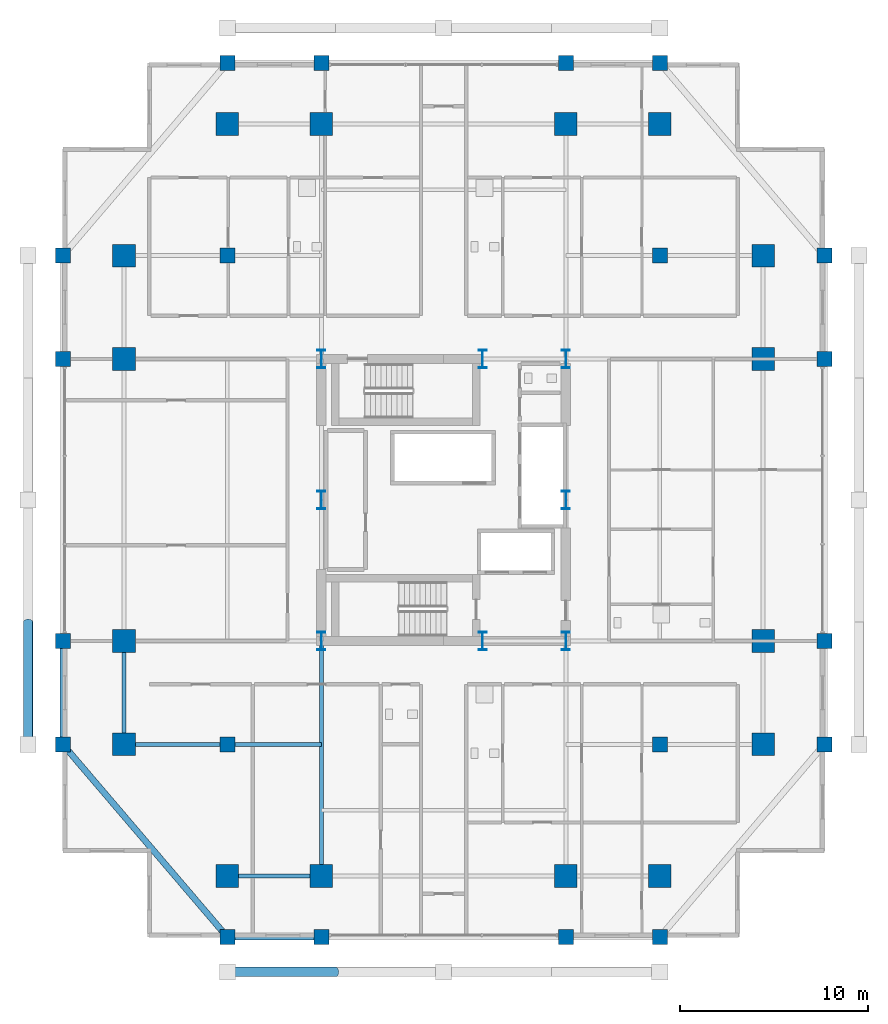
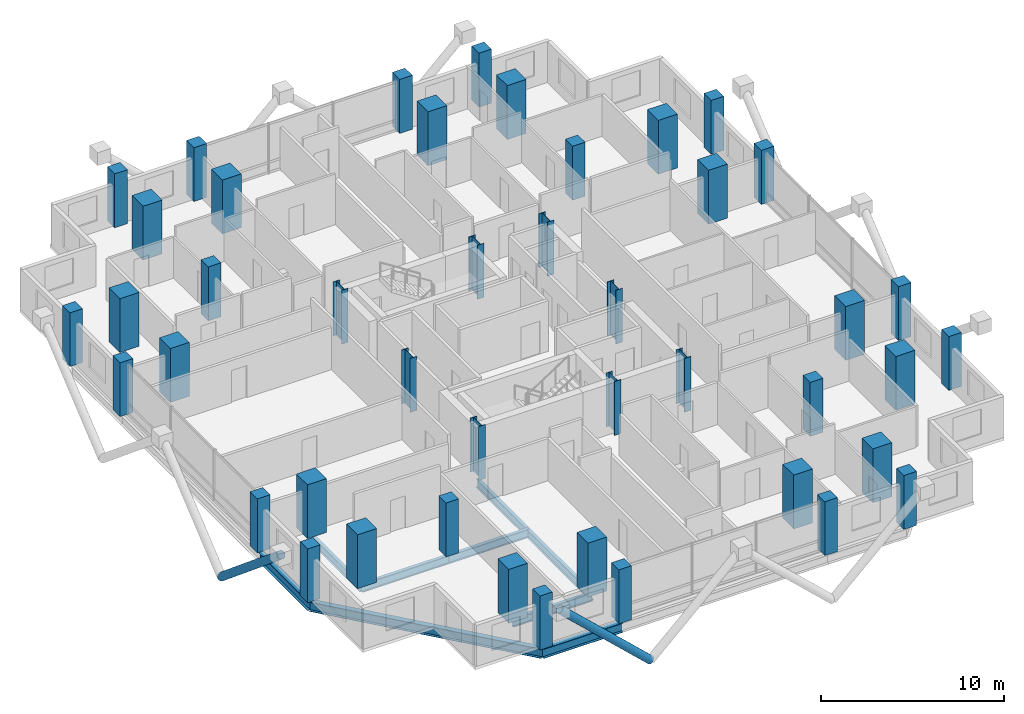
# One storey, part 1 of 23: 44 columns, 8 beams, 2 members.
"""IFC4 building model written with IfcOpenShell, lengths in metres."""

from ifc_helpers import new_model, si_unit, direction, frame, origin, origin_2d, place, context, subcontext, project, spatial, rectangle, hollow_circle, i_section, extrude, material, material_profile, profile_set, type_object, element, save


model = new_model("IFC4")

# Units and contexts
model_context = context("Model", 3, precision=1e-05, world=origin(), true_north=direction((0.0, 1.0)))
body_context = subcontext(model_context, "Body", "Model", "MODEL_VIEW")
ifc_project = project(units=[si_unit("LENGTHUNIT", "METRE"), si_unit("AREAUNIT", "SQUARE_METRE"), si_unit("VOLUMEUNIT", "CUBIC_METRE"), si_unit("PLANEANGLEUNIT", "RADIAN"), si_unit("MASSUNIT", "GRAM", prefix="KILO")], contexts=[model_context])

# Site, building, storey
site_placement = place(None, origin())
site = spatial("IfcSite", under=ifc_project, at=site_placement, CompositionType="ELEMENT")
building_placement = place(site_placement, origin())
building = spatial("IfcBuilding", under=site, at=building_placement, Name="Barlavira Tower and Art Museum", CompositionType="ELEMENT")
storey_placement = place(building_placement, frame((0.0, 0.0, 151.199951171875)))
storey = spatial("IfcBuildingStorey", under=building, at=storey_placement, Name="L38", CompositionType="ELEMENT", Elevation=151.199951171875)

# Columns
ifc_material_1 = material(Name="Steel S355", Category="steel")
ifc_material_profile_1 = material_profile(ifc_material_1, i_section(OverallWidth=0.419921875, OverallDepth=0.9599609375, WebThickness=0.02197265625, FlangeThickness=0.033935546875, at=origin_2d()), Name="W920x387.0")
ifc_profile_set_1 = profile_set([ifc_material_profile_1], Name="Steel S355")
column_type_1 = type_object("IfcColumnType", Name="Core Composite Column W920x387 Steel S355", PredefinedType="COLUMN", material=ifc_profile_set_1)
for number, where, z_axis, x_axis, name in (
    (1, (-6.5, -7.5, 0.0), (0.0, 0.0, 1.0), (1.0, 0.0, 0.0), "L38 Column CC-L38-C1"),
    (2, (2.080078125, -7.5, 0.0), (0.0, 0.0, 1.0), (1.0, 0.0, 0.0), "L38 Column CC-L38-C2"),
    (3, (6.5, -7.5, 0.0), (0.0, 0.0, 1.0), (1.0, 0.0, 0.0), "L38 Column CC-L38-C3"),
    (4, (-6.5, 0.0, 0.0), (0.0, 0.0, 1.0), (1.0, 0.0, 0.0), "L38 Column CC-L38-C4"),
    (5, (6.5, 0.0, 0.0), (0.0, 0.0, 1.0), (1.0, 0.0, 0.0), "L38 Column CC-L38-C5"),
    (6, (-6.5, 7.5, 0.0), (0.0, 0.0, 1.0), (1.0, 0.0, 0.0), "L38 Column CC-L38-C6"),
    (7, (2.080078125, 7.5, 0.0), (0.0, 0.0, 1.0), (1.0, 0.0, 0.0), "L38 Column CC-L38-C7"),
    (8, (6.5, 7.5, 0.0), (0.0, 0.0, 1.0), (1.0, 0.0, 0.0), "L38 Column CC-L38-C8"),
):
    element("IfcColumn", number, at=place(storey_placement, frame(where, z_axis=z_axis, x_axis=x_axis)), inside=storey, type_object=column_type_1, Name=name, PredefinedType="COLUMN", context=body_context, shape_type="SweptSolid", body=[
        extrude(i_section(OverallWidth=0.419921875, OverallDepth=0.9599609375, WebThickness=0.02197265625, FlangeThickness=0.033935546875, at=origin_2d()), origin(), (0.0, 0.0, 1.0), 3.60009765625),
    ])
ifc_material_2 = material(Name="Concrete C60", Category="concrete")
ifc_material_profile_2 = material_profile(ifc_material_2, rectangle(XDim=1.199951171875, YDim=1.199951171875, at=origin_2d()), Name="RC-COL 1200x1200")
ifc_profile_set_2 = profile_set([ifc_material_profile_2], Name="Concrete C60")
column_type_2 = type_object("IfcColumnType", Name="Perimeter Mega Column 1200x1200 Concrete C60", PredefinedType="USERDEFINED", material=ifc_profile_set_2)
for number, where, z_axis, x_axis, name in (
    (9, (-11.5, -20.0, 0.0), (0.0, 0.0, 1.0), (1.0, 0.0, 0.0), "L38 Column MC-L38-M01"),
    (10, (-6.5, -20.0, 0.0), (0.0, 0.0, 1.0), (1.0, 0.0, 0.0), "L38 Column MC-L38-M02"),
    (11, (6.5, -20.0, 0.0), (0.0, 0.0, 1.0), (1.0, 0.0, 0.0), "L38 Column MC-L38-M03"),
    (12, (11.5, -20.0, 0.0), (0.0, 0.0, 1.0), (1.0, 0.0, 0.0), "L38 Column MC-L38-M04"),
    (13, (17.0, -13.0, 0.0), (0.0, 0.0, 1.0), (1.0, 0.0, 0.0), "L38 Column MC-L38-M05"),
    (14, (17.0, -7.5, 0.0), (0.0, 0.0, 1.0), (1.0, 0.0, 0.0), "L38 Column MC-L38-M06"),
    (15, (17.0, 7.5, 0.0), (0.0, 0.0, 1.0), (1.0, 0.0, 0.0), "L38 Column MC-L38-M07"),
    (16, (17.0, 13.0, 0.0), (0.0, 0.0, 1.0), (1.0, 0.0, 0.0), "L38 Column MC-L38-M08"),
    (17, (11.5, 20.0, 0.0), (0.0, 0.0, 1.0), (1.0, 0.0, 0.0), "L38 Column MC-L38-M09"),
    (18, (6.5, 20.0, 0.0), (0.0, 0.0, 1.0), (1.0, 0.0, 0.0), "L38 Column MC-L38-M10"),
    (19, (-6.5, 20.0, 0.0), (0.0, 0.0, 1.0), (1.0, 0.0, 0.0), "L38 Column MC-L38-M11"),
    (20, (-11.5, 20.0, 0.0), (0.0, 0.0, 1.0), (1.0, 0.0, 0.0), "L38 Column MC-L38-M12"),
    (21, (-17.0, 13.0, 0.0), (0.0, 0.0, 1.0), (1.0, 0.0, 0.0), "L38 Column MC-L38-M13"),
    (22, (-17.0, 7.5, 0.0), (0.0, 0.0, 1.0), (1.0, 0.0, 0.0), "L38 Column MC-L38-M14"),
    (23, (-17.0, -7.5, 0.0), (0.0, 0.0, 1.0), (1.0, 0.0, 0.0), "L38 Column MC-L38-M15"),
    (24, (-17.0, -13.0, 0.0), (0.0, 0.0, 1.0), (1.0, 0.0, 0.0), "L38 Column MC-L38-M16"),
):
    element("IfcColumn", number, at=place(storey_placement, frame(where, z_axis=z_axis, x_axis=x_axis)), inside=storey, type_object=column_type_2, Name=name, ObjectType="MEGA COLUMN", PredefinedType="USERDEFINED", context=body_context, shape_type="SweptSolid", body=[
        extrude(rectangle(XDim=1.199951171875, YDim=1.199951171875, at=origin_2d()), origin(), (0.0, 0.0, 1.0), 3.60009765625),
    ])
ifc_material_3 = material(Name="Concrete C50", Category="concrete")
ifc_material_profile_3 = material_profile(ifc_material_3, rectangle(XDim=0.800048828125, YDim=0.800048828125, at=origin_2d()), Name="RC-COL 800x800")
ifc_profile_set_3 = profile_set([ifc_material_profile_3], Name="Concrete C50")
column_type_3 = type_object("IfcColumnType", Name="Podium Frame Column 800x800 Concrete C50", PredefinedType="COLUMN", material=ifc_profile_set_3)
for number, where, z_axis, x_axis, name in (
    (25, (-11.5, -13.0, 0.0), (0.0, 0.0, 1.0), (1.0, 0.0, 0.0), "L38 Column CI-L38-I1"),
    (26, (11.5, -13.0, 0.0), (0.0, 0.0, 1.0), (1.0, 0.0, 0.0), "L38 Column CI-L38-I2"),
    (27, (-11.5, 13.0, 0.0), (0.0, 0.0, 1.0), (1.0, 0.0, 0.0), "L38 Column CI-L38-I3"),
    (28, (11.5, 13.0, 0.0), (0.0, 0.0, 1.0), (1.0, 0.0, 0.0), "L38 Column CI-L38-I4"),
    (29, (-11.5, -23.25, 0.0), (0.0, 0.0, 1.0), (1.0, 0.0, 0.0), "L38 Column CZ2-L38-N01"),
    (30, (-6.5, -23.25, 0.0), (0.0, 0.0, 1.0), (1.0, 0.0, 0.0), "L38 Column CZ2-L38-N02"),
    (31, (6.5, -23.25, 0.0), (0.0, 0.0, 1.0), (1.0, 0.0, 0.0), "L38 Column CZ2-L38-N02B"),
    (32, (11.5, -23.25, 0.0), (0.0, 0.0, 1.0), (1.0, 0.0, 0.0), "L38 Column CZ2-L38-N03"),
    (33, (-20.25, -13.0, 0.0), (0.0, 0.0, 1.0), (1.0, 0.0, 0.0), "L38 Column CZ2-L38-N04"),
    (34, (-20.25, -7.5, 0.0), (0.0, 0.0, 1.0), (1.0, 0.0, 0.0), "L38 Column CZ2-L38-N05"),
    (35, (-20.25, 7.5, 0.0), (0.0, 0.0, 1.0), (1.0, 0.0, 0.0), "L38 Column CZ2-L38-N05B"),
    (36, (-20.25, 13.0, 0.0), (0.0, 0.0, 1.0), (1.0, 0.0, 0.0), "L38 Column CZ2-L38-N06"),
    (37, (-11.5, 23.25, 0.0), (0.0, 0.0, 1.0), (1.0, 0.0, 0.0), "L38 Column CZ2-L38-N07"),
    (38, (-6.5, 23.25, 0.0), (0.0, 0.0, 1.0), (1.0, 0.0, 0.0), "L38 Column CZ2-L38-N08"),
    (39, (6.5, 23.25, 0.0), (0.0, 0.0, 1.0), (1.0, 0.0, 0.0), "L38 Column CZ2-L38-N08B"),
    (40, (11.5, 23.25, 0.0), (0.0, 0.0, 1.0), (1.0, 0.0, 0.0), "L38 Column CZ2-L38-N09"),
    (41, (20.25, -13.0, 0.0), (0.0, 0.0, 1.0), (1.0, 0.0, 0.0), "L38 Column CZ2-L38-N10"),
    (42, (20.25, -7.5, 0.0), (0.0, 0.0, 1.0), (1.0, 0.0, 0.0), "L38 Column CZ2-L38-N11"),
    (43, (20.25, 7.5, 0.0), (0.0, 0.0, 1.0), (1.0, 0.0, 0.0), "L38 Column CZ2-L38-N11B"),
    (44, (20.25, 13.0, 0.0), (0.0, 0.0, 1.0), (1.0, 0.0, 0.0), "L38 Column CZ2-L38-N12"),
):
    element("IfcColumn", number, at=place(storey_placement, frame(where, z_axis=z_axis, x_axis=x_axis)), inside=storey, type_object=column_type_3, Name=name, PredefinedType="COLUMN", context=body_context, shape_type="SweptSolid", body=[
        extrude(rectangle(XDim=0.800048828125, YDim=0.800048828125, at=origin_2d()), origin(), (0.0, 0.0, 1.0), 3.60009765625),
    ])

# Members
ifc_material_profile_4 = material_profile(ifc_material_1, hollow_circle(Radius=0.25390625, WallThickness=0.022216796875, at=origin_2d()), Name="CHS 508.0x22.2")
ifc_profile_set_4 = profile_set([ifc_material_profile_4], Name="Steel S355")
member_type = type_object("IfcMemberType", Name="Pale-Metal Exoskeleton Diagrid Tube CHS 508x22 Steel S355", PredefinedType="BRACE", material=ifc_profile_set_4)
member_1_placement = place(storey_placement, frame((-5.75, -25.10009765625, -1.919921875), z_axis=(-0.728950095515, 0.0, 0.684566839869), x_axis=(0.0, -1.0, 0.0)))
element("IfcMember", 45, at=member_1_placement, inside=storey, type_object=member_type, Name="L38 Exoskeleton Diagrid Tube S", PredefinedType="BRACE", context=body_context, shape_type="SweptSolid", body=[
    extrude(hollow_circle(Radius=0.25390625, WallThickness=0.022216796875, at=origin_2d()), origin(), (0.0, 0.0, 1.0), 7.887939453125),
])
member_2_placement = place(storey_placement, frame((-22.10009765625, -6.5, -1.919921875), z_axis=(0.0, -0.769196053329, 0.639012857104), x_axis=(1.0, 0.0, 0.0)))
element("IfcMember", 46, at=member_2_placement, inside=storey, type_object=member_type, Name="L38 Exoskeleton Diagrid Tube W", PredefinedType="BRACE", context=body_context, shape_type="SweptSolid", body=[
    extrude(hollow_circle(Radius=0.25390625, WallThickness=0.022216796875, at=origin_2d()), origin(), (0.0, 0.0, 1.0), 8.450439453125),
])

# Beams
ifc_material_profile_5 = material_profile(ifc_material_1, i_section(OverallWidth=0.327880859375, OverallDepth=0.62890625, WebThickness=0.013916015625, FlangeThickness=0.021484375, at=origin_2d()), Name="W610x174.0")
ifc_profile_set_5 = profile_set([ifc_material_profile_5], Name="Steel S355")
beam_type_1 = type_object("IfcBeamType", Name="Perimeter Spandrel Edge Beam W610x174 Steel S355", PredefinedType="SPANDREL", material=ifc_profile_set_5)
beam_1_placement = place(storey_placement, frame((-11.5, -23.25, -0.534423828125), z_axis=(1.0, 0.0, 0.0), x_axis=(0.0, 1.0, 0.0)))
element("IfcBeam", 47, at=beam_1_placement, inside=storey, type_object=beam_type_1, Name="L38 Spandrel 1", PredefinedType="SPANDREL", context=body_context, shape_type="SweptSolid", body=[
    extrude(i_section(OverallWidth=0.327880859375, OverallDepth=0.62890625, WebThickness=0.013916015625, FlangeThickness=0.021484375, at=origin_2d()), origin(), (0.0, 0.0, 1.0), 5.0),
])
beam_2_placement = place(storey_placement, frame((-20.25, -13.0, -0.534423828125), z_axis=(0.0, 1.0, 0.0), x_axis=(-1.0, 0.0, 0.0)))
element("IfcBeam", 48, at=beam_2_placement, inside=storey, type_object=beam_type_1, Name="L38 Spandrel 15", PredefinedType="SPANDREL", context=body_context, shape_type="SweptSolid", body=[
    extrude(i_section(OverallWidth=0.327880859375, OverallDepth=0.62890625, WebThickness=0.013916015625, FlangeThickness=0.021484375, at=origin_2d()), origin(), (0.0, 0.0, 1.0), 5.5),
])
beam_3_placement = place(storey_placement, frame((-20.25, -13.0, -0.534423828125), z_axis=(0.649262379928, -0.760564502202, 0.0), x_axis=(0.760564502202, 0.649262379928, 0.0)))
element("IfcBeam", 49, at=beam_3_placement, inside=storey, type_object=beam_type_1, Name="L38 Spandrel 16", PredefinedType="SPANDREL", context=body_context, shape_type="SweptSolid", body=[
    extrude(i_section(OverallWidth=0.327880859375, OverallDepth=0.62890625, WebThickness=0.013916015625, FlangeThickness=0.021484375, at=origin_2d()), origin(), (0.0, 0.0, 1.0), 13.476806640625),
])
ifc_material_profile_6 = material_profile(ifc_material_1, i_section(OverallWidth=0.214111328125, OverallDepth=0.549072265625, WebThickness=0.0146484375, FlangeThickness=0.023681640625, at=origin_2d()), Name="W530x138.0")
ifc_profile_set_6 = profile_set([ifc_material_profile_6], Name="Steel S355")
beam_type_2 = type_object("IfcBeamType", Name="Zone 1 Primary Floor Girder W530x138 Steel S355", PredefinedType="BEAM", material=ifc_profile_set_6)
beam_4_placement = place(storey_placement, frame((-11.5, -20.0, -0.494384765625), z_axis=(1.0, 0.0, 0.0), x_axis=(0.0, 1.0, 0.0)))
element("IfcBeam", 50, at=beam_4_placement, inside=storey, type_object=beam_type_2, Name="L38 Girder M-S1", PredefinedType="BEAM", context=body_context, shape_type="SweptSolid", body=[
    extrude(i_section(OverallWidth=0.214111328125, OverallDepth=0.549072265625, WebThickness=0.0146484375, FlangeThickness=0.023681640625, at=origin_2d()), origin(), (0.0, 0.0, 1.0), 5.0),
])
beam_5_placement = place(storey_placement, frame((-17.0, -13.0, -0.494384765625), z_axis=(0.0, 1.0, 0.0), x_axis=(-1.0, 0.0, 0.0)))
element("IfcBeam", 51, at=beam_5_placement, inside=storey, type_object=beam_type_2, Name="L38 Girder M-W1", PredefinedType="BEAM", context=body_context, shape_type="SweptSolid", body=[
    extrude(i_section(OverallWidth=0.214111328125, OverallDepth=0.549072265625, WebThickness=0.0146484375, FlangeThickness=0.023681640625, at=origin_2d()), origin(), (0.0, 0.0, 1.0), 5.5),
])
beam_6_placement = place(storey_placement, frame((-6.5, -20.0, -0.494384765625), z_axis=(0.0, 1.0, 0.0), x_axis=(-1.0, 0.0, 0.0)))
element("IfcBeam", 52, at=beam_6_placement, inside=storey, type_object=beam_type_2, Name="L38 Girder R-S1", PredefinedType="BEAM", context=body_context, shape_type="SweptSolid", body=[
    extrude(i_section(OverallWidth=0.214111328125, OverallDepth=0.549072265625, WebThickness=0.0146484375, FlangeThickness=0.023681640625, at=origin_2d()), origin(), (0.0, 0.0, 1.0), 12.5),
])
beam_7_placement = place(storey_placement, frame((-17.0, -13.0, -0.494384765625), z_axis=(1.0, 0.0, 0.0), x_axis=(0.0, 1.0, 0.0)))
element("IfcBeam", 53, at=beam_7_placement, inside=storey, type_object=beam_type_2, Name="L38 Girder I-S1", PredefinedType="BEAM", context=body_context, shape_type="SweptSolid", body=[
    extrude(i_section(OverallWidth=0.214111328125, OverallDepth=0.549072265625, WebThickness=0.0146484375, FlangeThickness=0.023681640625, at=origin_2d()), origin(), (0.0, 0.0, 1.0), 5.5),
])
beam_8_placement = place(storey_placement, frame((-11.5, -13.0, -0.494384765625), z_axis=(1.0, 0.0, 0.0), x_axis=(0.0, 1.0, 0.0)))
element("IfcBeam", 54, at=beam_8_placement, inside=storey, type_object=beam_type_2, Name="L38 Girder I-S2", PredefinedType="BEAM", context=body_context, shape_type="SweptSolid", body=[
    extrude(i_section(OverallWidth=0.214111328125, OverallDepth=0.549072265625, WebThickness=0.0146484375, FlangeThickness=0.023681640625, at=origin_2d()), origin(), (0.0, 0.0, 1.0), 5.0),
])

save(model, "model.ifc")
